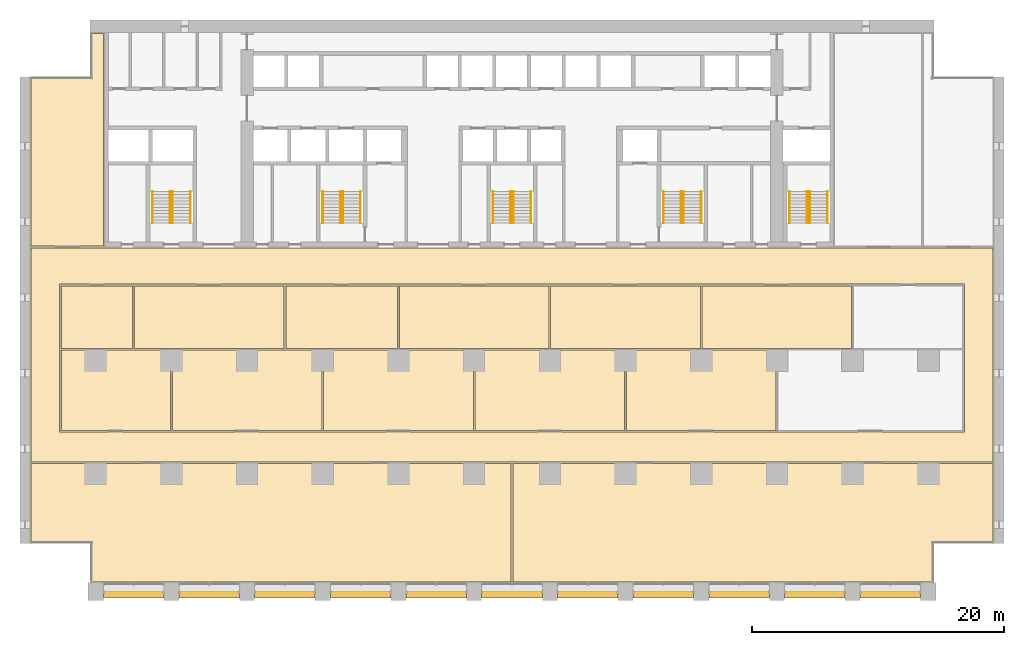
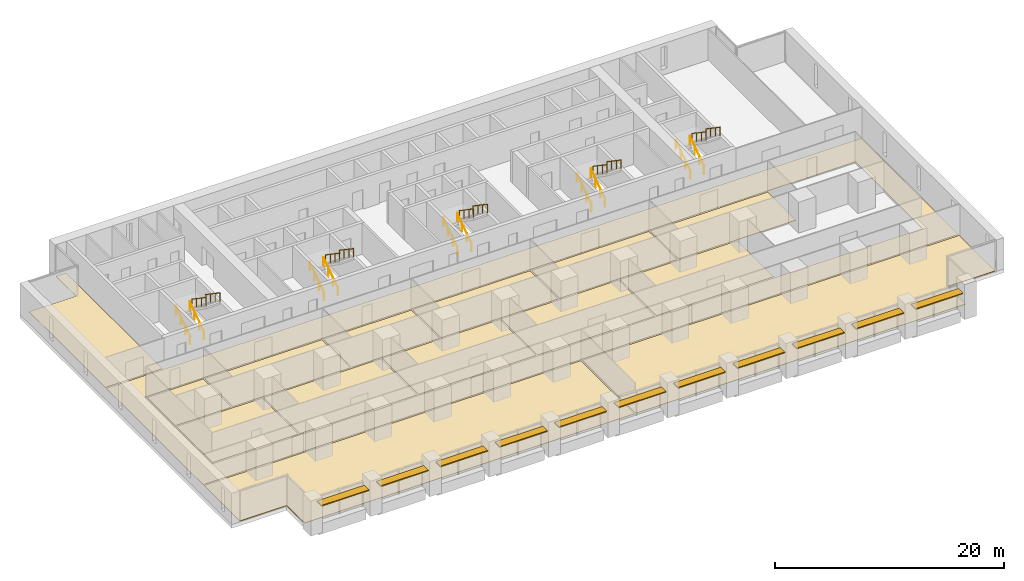
# One storey, part 17 of 18: 20 railings, 15 coverings, 11 shading devices, 5 elements without a shape of their own.
"""IFC4 building model written with IfcOpenShell, lengths in metres."""

from ifc_helpers import new_model, si_unit, direction, frame, origin, origin_2d, place, context, subcontext, project, spatial, polyline, rectangle, circle, outline, extrude, material, layer, layer_set, material_profile, profile_set, type_object, element, aggregate, save


model = new_model("IFC4")

# Units and contexts
model_context = context("Model", 3, precision=1e-05, world=origin(), true_north=direction((0.0, 1.0)))
body_context = subcontext(model_context, "Body", "Model", "MODEL_VIEW")
ifc_project = project(units=[si_unit("LENGTHUNIT", "METRE"), si_unit("AREAUNIT", "SQUARE_METRE"), si_unit("VOLUMEUNIT", "CUBIC_METRE"), si_unit("PLANEANGLEUNIT", "RADIAN"), si_unit("MASSUNIT", "GRAM", prefix="KILO")], contexts=[model_context])

# Site, building, storey
site_placement = place(None, origin())
site = spatial("IfcSite", under=ifc_project, at=site_placement, CompositionType="ELEMENT")
building_placement = place(site_placement, origin())
building = spatial("IfcBuilding", under=site, at=building_placement, Name="Calvaro Tower", CompositionType="ELEMENT")
storey_placement = place(building_placement, frame((0.0, 0.0, 37.5)))
storey = spatial("IfcBuildingStorey", under=building, at=storey_placement, Name="L08", CompositionType="ELEMENT", Elevation=37.5)

# Shading devices
ifc_material_1 = material(Name="Anodised aluminium", Category="aluminium")
ifc_material_profile = material_profile(ifc_material_1, rectangle(XDim=0.800048828125, YDim=0.10009765625, at=origin_2d()), Name="Brise-soleil blade 800 x 100")
ifc_profile_set = profile_set([ifc_material_profile], Name="Anodised aluminium")
shading_device_type = type_object("IfcShadingDeviceType", Name="Brise-soleil blade 800 x 100", PredefinedType="JALOUSIE", material=ifc_profile_set)
for number, where, z_axis, x_axis, name in (
    (1, (6.60009765625, 0.60009765625, 2.300048828125), (1.0, 0.0, 0.0), (0.0, 1.0, 0.0), "Brise-soleil blade 1"),
    (2, (12.60009765625, 0.60009765625, 2.300048828125), (1.0, 0.0, 0.0), (0.0, 1.0, 0.0), "Brise-soleil blade 2"),
    (3, (18.60009765625, 0.60009765625, 2.300048828125), (1.0, 0.0, 0.0), (0.0, 1.0, 0.0), "Brise-soleil blade 3"),
    (4, (24.60009765625, 0.60009765625, 2.300048828125), (1.0, 0.0, 0.0), (0.0, 1.0, 0.0), "Brise-soleil blade 4"),
    (5, (30.60009765625, 0.60009765625, 2.300048828125), (1.0, 0.0, 0.0), (0.0, 1.0, 0.0), "Brise-soleil blade 5"),
    (6, (36.60009765625, 0.60009765625, 2.300048828125), (1.0, 0.0, 0.0), (0.0, 1.0, 0.0), "Brise-soleil blade 6"),
    (7, (42.60009765625, 0.60009765625, 2.300048828125), (1.0, 0.0, 0.0), (0.0, 1.0, 0.0), "Brise-soleil blade 7"),
    (8, (48.60009765625, 0.60009765625, 2.300048828125), (1.0, 0.0, 0.0), (0.0, 1.0, 0.0), "Brise-soleil blade 8"),
    (9, (54.60009765625, 0.60009765625, 2.300048828125), (1.0, 0.0, 0.0), (0.0, 1.0, 0.0), "Brise-soleil blade 9"),
    (10, (60.60009765625, 0.60009765625, 2.300048828125), (1.0, 0.0, 0.0), (0.0, 1.0, 0.0), "Brise-soleil blade 10"),
    (11, (66.60009765625, 0.60009765625, 2.300048828125), (1.0, 0.0, 0.0), (0.0, 1.0, 0.0), "Brise-soleil blade 11"),
):
    element("IfcShadingDevice", number, at=place(storey_placement, frame(where, z_axis=z_axis, x_axis=x_axis)), inside=storey, type_object=shading_device_type, Name=name, PredefinedType="JALOUSIE", context=body_context, shape_type="SweptSolid", body=[
        extrude(rectangle(XDim=0.800048828125, YDim=0.10009765625, at=origin_2d()), origin(), (0.0, 0.0, 1.0), 4.7998046875),
    ])

# Coverings
ifc_material_2 = material(Name="Cement screed with carpet tile finish")
ifc_layer = layer(ifc_material_2, 0.050048828125)
ifc_layer_set = layer_set([ifc_layer], Name="Cement screed with carpet tile finish")
covering_type = type_object("IfcCoveringType", Name="Floor finish 50", PredefinedType="FLOORING", material=ifc_layer_set)
covering_1_placement = place(storey_placement, origin())
element("IfcCovering", 12, at=covering_1_placement, inside=storey, type_object=covering_type, Name="Floor finish 09.01", PredefinedType="FLOORING", context=body_context, shape_type="SweptSolid", body=[
    extrude(outline(polyline([(0.8701171875, 10.969970703125), (0.8701171875, 27.929931640625), (77.1298828125, 27.929931640625), (77.1298828125, 10.969970703125), (0.8701171875, 10.969970703125)]), holes=[polyline([(74.8701171875, 13.330078125), (74.8701171875, 25.070068359375), (3.1298828125, 25.070068359375), (3.1298828125, 13.330078125), (74.8701171875, 13.330078125)])]), origin(), (0.0, 0.0, 1.0), 0.050048828125),
])
covering_2_placement = place(storey_placement, origin())
element("IfcCovering", 13, at=covering_2_placement, inside=storey, type_object=covering_type, Name="Floor finish 09.02", PredefinedType="FLOORING", context=body_context, shape_type="SweptSolid", body=[
    extrude(outline(polyline([(38.929931640625, 10.830078125), (38.929931640625, 1.469970703125), (5.6201171875, 1.469970703125), (5.6201171875, 4.570068359375), (0.8701171875, 4.570068359375), (0.8701171875, 10.830078125), (38.929931640625, 10.830078125)])), origin(), (0.0, 0.0, 1.0), 0.050048828125),
])
covering_3_placement = place(storey_placement, origin())
element("IfcCovering", 14, at=covering_3_placement, inside=storey, type_object=covering_type, Name="Floor finish 09.03", PredefinedType="FLOORING", context=body_context, shape_type="SweptSolid", body=[
    extrude(outline(polyline([(77.1298828125, 4.570068359375), (72.3798828125, 4.570068359375), (72.3798828125, 1.469970703125), (39.070068359375, 1.469970703125), (39.070068359375, 10.830078125), (77.1298828125, 10.830078125), (77.1298828125, 4.570068359375)])), origin(), (0.0, 0.0, 1.0), 0.050048828125),
])
covering_4_placement = place(storey_placement, origin())
element("IfcCovering", 15, at=covering_4_placement, inside=storey, type_object=covering_type, Name="Floor finish 09.04", PredefinedType="FLOORING", context=body_context, shape_type="SweptSolid", body=[
    extrude(outline(polyline([(3.27001953125, 13.469970703125), (3.27001953125, 19.830078125), (11.929931640625, 19.830078125), (11.929931640625, 13.469970703125), (3.27001953125, 13.469970703125)])), origin(), (0.0, 0.0, 1.0), 0.050048828125),
])
covering_5_placement = place(storey_placement, origin())
element("IfcCovering", 16, at=covering_5_placement, inside=storey, type_object=covering_type, Name="Floor finish 09.06", PredefinedType="FLOORING", context=body_context, shape_type="SweptSolid", body=[
    extrude(outline(polyline([(12.070068359375, 13.469970703125), (12.070068359375, 19.830078125), (23.929931640625, 19.830078125), (23.929931640625, 13.469970703125), (12.070068359375, 13.469970703125)])), origin(), (0.0, 0.0, 1.0), 0.050048828125),
])
covering_6_placement = place(storey_placement, origin())
element("IfcCovering", 17, at=covering_6_placement, inside=storey, type_object=covering_type, Name="Floor finish 09.07", PredefinedType="FLOORING", context=body_context, shape_type="SweptSolid", body=[
    extrude(outline(polyline([(24.070068359375, 13.469970703125), (24.070068359375, 19.830078125), (35.929931640625, 19.830078125), (35.929931640625, 13.469970703125), (24.070068359375, 13.469970703125)])), origin(), (0.0, 0.0, 1.0), 0.050048828125),
])
covering_7_placement = place(storey_placement, origin())
element("IfcCovering", 18, at=covering_7_placement, inside=storey, type_object=covering_type, Name="Floor finish 09.08", PredefinedType="FLOORING", context=body_context, shape_type="SweptSolid", body=[
    extrude(outline(polyline([(36.070068359375, 13.469970703125), (36.070068359375, 19.830078125), (47.929931640625, 19.830078125), (47.929931640625, 13.469970703125), (36.070068359375, 13.469970703125)])), origin(), (0.0, 0.0, 1.0), 0.050048828125),
])
covering_8_placement = place(storey_placement, origin())
element("IfcCovering", 19, at=covering_8_placement, inside=storey, type_object=covering_type, Name="Floor finish 09.09", PredefinedType="FLOORING", context=body_context, shape_type="SweptSolid", body=[
    extrude(outline(polyline([(48.070068359375, 13.469970703125), (48.070068359375, 19.830078125), (59.929931640625, 19.830078125), (59.929931640625, 13.469970703125), (48.070068359375, 13.469970703125)])), origin(), (0.0, 0.0, 1.0), 0.050048828125),
])
covering_9_placement = place(storey_placement, origin())
element("IfcCovering", 20, at=covering_9_placement, inside=storey, type_object=covering_type, Name="Floor finish 09.12", PredefinedType="FLOORING", context=body_context, shape_type="SweptSolid", body=[
    extrude(outline(polyline([(3.27001953125, 19.969970703125), (3.27001953125, 24.929931640625), (8.929931640625, 24.929931640625), (8.929931640625, 19.969970703125), (3.27001953125, 19.969970703125)])), origin(), (0.0, 0.0, 1.0), 0.050048828125),
])
covering_10_placement = place(storey_placement, origin())
element("IfcCovering", 21, at=covering_10_placement, inside=storey, type_object=covering_type, Name="Floor finish 09.13", PredefinedType="FLOORING", context=body_context, shape_type="SweptSolid", body=[
    extrude(outline(polyline([(9.070068359375, 19.969970703125), (9.070068359375, 24.929931640625), (20.929931640625, 24.929931640625), (20.929931640625, 19.969970703125), (9.070068359375, 19.969970703125)])), origin(), (0.0, 0.0, 1.0), 0.050048828125),
])
covering_11_placement = place(storey_placement, origin())
element("IfcCovering", 22, at=covering_11_placement, inside=storey, type_object=covering_type, Name="Floor finish 09.10", PredefinedType="FLOORING", context=body_context, shape_type="SweptSolid", body=[
    extrude(outline(polyline([(21.070068359375, 19.969970703125), (21.070068359375, 24.929931640625), (29.929931640625, 24.929931640625), (29.929931640625, 19.969970703125), (21.070068359375, 19.969970703125)])), origin(), (0.0, 0.0, 1.0), 0.050048828125),
])
covering_12_placement = place(storey_placement, origin())
element("IfcCovering", 23, at=covering_12_placement, inside=storey, type_object=covering_type, Name="Floor finish 09.14", PredefinedType="FLOORING", context=body_context, shape_type="SweptSolid", body=[
    extrude(outline(polyline([(30.070068359375, 19.969970703125), (30.070068359375, 24.929931640625), (41.929931640625, 24.929931640625), (41.929931640625, 19.969970703125), (30.070068359375, 19.969970703125)])), origin(), (0.0, 0.0, 1.0), 0.050048828125),
])
covering_13_placement = place(storey_placement, origin())
element("IfcCovering", 24, at=covering_13_placement, inside=storey, type_object=covering_type, Name="Floor finish 09.15", PredefinedType="FLOORING", context=body_context, shape_type="SweptSolid", body=[
    extrude(outline(polyline([(42.070068359375, 19.969970703125), (42.070068359375, 24.929931640625), (53.929931640625, 24.929931640625), (53.929931640625, 19.969970703125), (42.070068359375, 19.969970703125)])), origin(), (0.0, 0.0, 1.0), 0.050048828125),
])
covering_14_placement = place(storey_placement, origin())
element("IfcCovering", 25, at=covering_14_placement, inside=storey, type_object=covering_type, Name="Floor finish 09.16", PredefinedType="FLOORING", context=body_context, shape_type="SweptSolid", body=[
    extrude(outline(polyline([(54.070068359375, 19.969970703125), (54.070068359375, 24.929931640625), (65.929931640625, 24.929931640625), (65.929931640625, 19.969970703125), (54.070068359375, 19.969970703125)])), origin(), (0.0, 0.0, 1.0), 0.050048828125),
])
covering_15_placement = place(storey_placement, origin())
element("IfcCovering", 26, at=covering_15_placement, inside=storey, type_object=covering_type, Name="Floor finish 09.18", PredefinedType="FLOORING", context=body_context, shape_type="SweptSolid", body=[
    extrude(outline(polyline([(6.6298828125, 28.070068359375), (0.8701171875, 28.070068359375), (0.8701171875, 41.429931640625), (5.6201171875, 41.429931640625), (5.6201171875, 44.929931640625), (6.6298828125, 44.929931640625), (6.6298828125, 28.070068359375)])), origin(), (0.0, 0.0, 1.0), 0.050048828125),
])

# Stair, railings
ifc_material_3 = material(Name="Concrete C40/50", Category="concrete")
stair_type = type_object("IfcStairType", Name="Exit stair 1400 2 flights", PredefinedType="HALF_TURN_STAIR", material=ifc_material_3)
stair_1_placement = place(storey_placement, origin())
stair_1 = element("IfcStair", 27, at=stair_1_placement, inside=storey, type_object=stair_type, Name="Exit stair S1", PredefinedType="HALF_TURN_STAIR")
ifc_material_4 = material(Name="Stainless steel", Category="steel")
railing_type = type_object("IfcRailingType", Name="Stair handrail", PredefinedType="HANDRAIL", material=ifc_material_4)
railing_1_placement = place(storey_placement, frame((11.89990234375, 29.89990234375, 0.17041015625)))
railing_1 = element("IfcRailing", 28, at=railing_1_placement, type_object=railing_type, Name="Exit stair 1 handrail", PredefinedType="HANDRAIL", context=body_context, shape_type="SweptSolid", body=[
    extrude(circle(Radius=0.02392578125, at=origin_2d()), frame((0.0, 0.0, 0.8759765625), z_axis=(0.0, 0.826220514629, 0.563346839174), x_axis=(-1.0, 0.0, 0.0)), (0.0, 0.0, 1.0), 3.02587890625),
    extrude(circle(Radius=0.02099609375, at=origin_2d()), frame((0.0, 0.017333984375, 0.01171875)), (0.0, 0.0, 1.0), 0.851806640625),
    extrude(circle(Radius=0.02099609375, at=origin_2d()), frame((0.0, 0.833251953125, 0.568115234375)), (0.0, 0.0, 1.0), 0.851806640625),
    extrude(circle(Radius=0.02099609375, at=origin_2d()), frame((0.0, 1.666748046875, 1.136474609375)), (0.0, 0.0, 1.0), 0.851806640625),
    extrude(circle(Radius=0.02099609375, at=origin_2d()), frame((0.0, 2.482666015625, 1.69287109375)), (0.0, 0.0, 1.0), 0.851806640625),
])
railing_2_placement = place(storey_placement, frame((10.5, 29.89990234375, 0.17041015625)))
railing_2 = element("IfcRailing", 29, at=railing_2_placement, type_object=railing_type, Name="Exit stair 1 handrail", PredefinedType="HANDRAIL", context=body_context, shape_type="SweptSolid", body=[
    extrude(circle(Radius=0.02392578125, at=origin_2d()), frame((0.0, 0.0, 0.8759765625), z_axis=(0.0, 0.826220514629, 0.563346839174), x_axis=(-1.0, 0.0, 0.0)), (0.0, 0.0, 1.0), 3.02587890625),
    extrude(circle(Radius=0.02099609375, at=origin_2d()), frame((0.0, 0.017333984375, 0.01171875)), (0.0, 0.0, 1.0), 0.851806640625),
    extrude(circle(Radius=0.02099609375, at=origin_2d()), frame((0.0, 0.833251953125, 0.568115234375)), (0.0, 0.0, 1.0), 0.851806640625),
    extrude(circle(Radius=0.02099609375, at=origin_2d()), frame((0.0, 1.666748046875, 1.136474609375)), (0.0, 0.0, 1.0), 0.851806640625),
    extrude(circle(Radius=0.02099609375, at=origin_2d()), frame((0.0, 2.482666015625, 1.69287109375)), (0.0, 0.0, 1.0), 0.851806640625),
])
railing_3_placement = place(storey_placement, frame((12.10009765625, 32.39990234375, 2.04541015625)))
railing_3 = element("IfcRailing", 30, at=railing_3_placement, type_object=railing_type, Name="Exit stair 1 handrail", PredefinedType="HANDRAIL", context=body_context, shape_type="SweptSolid", body=[
    extrude(circle(Radius=0.02392578125, at=origin_2d()), frame((0.0, 0.0, 0.8759765625), z_axis=(0.0, -0.826220514629, 0.563346839174), x_axis=(1.0, 0.0, 0.0)), (0.0, 0.0, 1.0), 3.02587890625),
    extrude(circle(Radius=0.02099609375, at=origin_2d()), frame((0.0, -0.017333984375, 0.01171875)), (0.0, 0.0, 1.0), 0.851806640625),
    extrude(circle(Radius=0.02099609375, at=origin_2d()), frame((0.0, -0.833251953125, 0.568115234375)), (0.0, 0.0, 1.0), 0.851806640625),
    extrude(circle(Radius=0.02099609375, at=origin_2d()), frame((0.0, -1.666748046875, 1.136474609375)), (0.0, 0.0, 1.0), 0.851806640625),
    extrude(circle(Radius=0.02099609375, at=origin_2d()), frame((0.0, -2.482666015625, 1.69287109375)), (0.0, 0.0, 1.0), 0.851806640625),
])
railing_4_placement = place(storey_placement, frame((13.5, 32.39990234375, 2.04541015625)))
railing_4 = element("IfcRailing", 31, at=railing_4_placement, type_object=railing_type, Name="Exit stair 1 handrail", PredefinedType="HANDRAIL", context=body_context, shape_type="SweptSolid", body=[
    extrude(circle(Radius=0.02392578125, at=origin_2d()), frame((0.0, 0.0, 0.8759765625), z_axis=(0.0, -0.826220514629, 0.563346839174), x_axis=(1.0, 0.0, 0.0)), (0.0, 0.0, 1.0), 3.02587890625),
    extrude(circle(Radius=0.02099609375, at=origin_2d()), frame((0.0, -0.017333984375, 0.01171875)), (0.0, 0.0, 1.0), 0.851806640625),
    extrude(circle(Radius=0.02099609375, at=origin_2d()), frame((0.0, -0.833251953125, 0.568115234375)), (0.0, 0.0, 1.0), 0.851806640625),
    extrude(circle(Radius=0.02099609375, at=origin_2d()), frame((0.0, -1.666748046875, 1.136474609375)), (0.0, 0.0, 1.0), 0.851806640625),
    extrude(circle(Radius=0.02099609375, at=origin_2d()), frame((0.0, -2.482666015625, 1.69287109375)), (0.0, 0.0, 1.0), 0.851806640625),
])
aggregate(stair_1, [railing_1, railing_2, railing_3, railing_4])

stair_2_placement = place(storey_placement, origin())
stair_2 = element("IfcStair", 32, at=stair_2_placement, inside=storey, type_object=stair_type, Name="Exit stair S2", PredefinedType="HALF_TURN_STAIR")
railing_5_placement = place(storey_placement, frame((25.39990234375, 29.89990234375, 0.17041015625)))
railing_5 = element("IfcRailing", 33, at=railing_5_placement, type_object=railing_type, Name="Exit stair 2 handrail", PredefinedType="HANDRAIL", context=body_context, shape_type="SweptSolid", body=[
    extrude(circle(Radius=0.02392578125, at=origin_2d()), frame((0.0, 0.0, 0.8759765625), z_axis=(0.0, 0.826220514629, 0.563346839174), x_axis=(-1.0, 0.0, 0.0)), (0.0, 0.0, 1.0), 3.02587890625),
    extrude(circle(Radius=0.02099609375, at=origin_2d()), frame((0.0, 0.017333984375, 0.01171875)), (0.0, 0.0, 1.0), 0.851806640625),
    extrude(circle(Radius=0.02099609375, at=origin_2d()), frame((0.0, 0.833251953125, 0.568115234375)), (0.0, 0.0, 1.0), 0.851806640625),
    extrude(circle(Radius=0.02099609375, at=origin_2d()), frame((0.0, 1.666748046875, 1.136474609375)), (0.0, 0.0, 1.0), 0.851806640625),
    extrude(circle(Radius=0.02099609375, at=origin_2d()), frame((0.0, 2.482666015625, 1.69287109375)), (0.0, 0.0, 1.0), 0.851806640625),
])
railing_6_placement = place(storey_placement, frame((24.0, 29.89990234375, 0.17041015625)))
railing_6 = element("IfcRailing", 34, at=railing_6_placement, type_object=railing_type, Name="Exit stair 2 handrail", PredefinedType="HANDRAIL", context=body_context, shape_type="SweptSolid", body=[
    extrude(circle(Radius=0.02392578125, at=origin_2d()), frame((0.0, 0.0, 0.8759765625), z_axis=(0.0, 0.826220514629, 0.563346839174), x_axis=(-1.0, 0.0, 0.0)), (0.0, 0.0, 1.0), 3.02587890625),
    extrude(circle(Radius=0.02099609375, at=origin_2d()), frame((0.0, 0.017333984375, 0.01171875)), (0.0, 0.0, 1.0), 0.851806640625),
    extrude(circle(Radius=0.02099609375, at=origin_2d()), frame((0.0, 0.833251953125, 0.568115234375)), (0.0, 0.0, 1.0), 0.851806640625),
    extrude(circle(Radius=0.02099609375, at=origin_2d()), frame((0.0, 1.666748046875, 1.136474609375)), (0.0, 0.0, 1.0), 0.851806640625),
    extrude(circle(Radius=0.02099609375, at=origin_2d()), frame((0.0, 2.482666015625, 1.69287109375)), (0.0, 0.0, 1.0), 0.851806640625),
])
railing_7_placement = place(storey_placement, frame((25.60009765625, 32.39990234375, 2.04541015625)))
railing_7 = element("IfcRailing", 35, at=railing_7_placement, type_object=railing_type, Name="Exit stair 2 handrail", PredefinedType="HANDRAIL", context=body_context, shape_type="SweptSolid", body=[
    extrude(circle(Radius=0.02392578125, at=origin_2d()), frame((0.0, 0.0, 0.8759765625), z_axis=(0.0, -0.826220514629, 0.563346839174), x_axis=(1.0, 0.0, 0.0)), (0.0, 0.0, 1.0), 3.02587890625),
    extrude(circle(Radius=0.02099609375, at=origin_2d()), frame((0.0, -0.017333984375, 0.01171875)), (0.0, 0.0, 1.0), 0.851806640625),
    extrude(circle(Radius=0.02099609375, at=origin_2d()), frame((0.0, -0.833251953125, 0.568115234375)), (0.0, 0.0, 1.0), 0.851806640625),
    extrude(circle(Radius=0.02099609375, at=origin_2d()), frame((0.0, -1.666748046875, 1.136474609375)), (0.0, 0.0, 1.0), 0.851806640625),
    extrude(circle(Radius=0.02099609375, at=origin_2d()), frame((0.0, -2.482666015625, 1.69287109375)), (0.0, 0.0, 1.0), 0.851806640625),
])
railing_8_placement = place(storey_placement, frame((27.0, 32.39990234375, 2.04541015625)))
railing_8 = element("IfcRailing", 36, at=railing_8_placement, type_object=railing_type, Name="Exit stair 2 handrail", PredefinedType="HANDRAIL", context=body_context, shape_type="SweptSolid", body=[
    extrude(circle(Radius=0.02392578125, at=origin_2d()), frame((0.0, 0.0, 0.8759765625), z_axis=(0.0, -0.826220514629, 0.563346839174), x_axis=(1.0, 0.0, 0.0)), (0.0, 0.0, 1.0), 3.02587890625),
    extrude(circle(Radius=0.02099609375, at=origin_2d()), frame((0.0, -0.017333984375, 0.01171875)), (0.0, 0.0, 1.0), 0.851806640625),
    extrude(circle(Radius=0.02099609375, at=origin_2d()), frame((0.0, -0.833251953125, 0.568115234375)), (0.0, 0.0, 1.0), 0.851806640625),
    extrude(circle(Radius=0.02099609375, at=origin_2d()), frame((0.0, -1.666748046875, 1.136474609375)), (0.0, 0.0, 1.0), 0.851806640625),
    extrude(circle(Radius=0.02099609375, at=origin_2d()), frame((0.0, -2.482666015625, 1.69287109375)), (0.0, 0.0, 1.0), 0.851806640625),
])
aggregate(stair_2, [railing_5, railing_6, railing_7, railing_8])

stair_3_placement = place(storey_placement, origin())
stair_3 = element("IfcStair", 37, at=stair_3_placement, inside=storey, type_object=stair_type, Name="Exit stair S3", PredefinedType="HALF_TURN_STAIR")
railing_9_placement = place(storey_placement, frame((38.89990234375, 29.89990234375, 0.17041015625)))
railing_9 = element("IfcRailing", 38, at=railing_9_placement, type_object=railing_type, Name="Exit stair 3 handrail", PredefinedType="HANDRAIL", context=body_context, shape_type="SweptSolid", body=[
    extrude(circle(Radius=0.02392578125, at=origin_2d()), frame((0.0, 0.0, 0.8759765625), z_axis=(0.0, 0.826220514629, 0.563346839174), x_axis=(-1.0, 0.0, 0.0)), (0.0, 0.0, 1.0), 3.02587890625),
    extrude(circle(Radius=0.02099609375, at=origin_2d()), frame((0.0, 0.017333984375, 0.01171875)), (0.0, 0.0, 1.0), 0.851806640625),
    extrude(circle(Radius=0.02099609375, at=origin_2d()), frame((0.0, 0.833251953125, 0.568115234375)), (0.0, 0.0, 1.0), 0.851806640625),
    extrude(circle(Radius=0.02099609375, at=origin_2d()), frame((0.0, 1.666748046875, 1.136474609375)), (0.0, 0.0, 1.0), 0.851806640625),
    extrude(circle(Radius=0.02099609375, at=origin_2d()), frame((0.0, 2.482666015625, 1.69287109375)), (0.0, 0.0, 1.0), 0.851806640625),
])
railing_10_placement = place(storey_placement, frame((37.5, 29.89990234375, 0.17041015625)))
railing_10 = element("IfcRailing", 39, at=railing_10_placement, type_object=railing_type, Name="Exit stair 3 handrail", PredefinedType="HANDRAIL", context=body_context, shape_type="SweptSolid", body=[
    extrude(circle(Radius=0.02392578125, at=origin_2d()), frame((0.0, 0.0, 0.8759765625), z_axis=(0.0, 0.826220514629, 0.563346839174), x_axis=(-1.0, 0.0, 0.0)), (0.0, 0.0, 1.0), 3.02587890625),
    extrude(circle(Radius=0.02099609375, at=origin_2d()), frame((0.0, 0.017333984375, 0.01171875)), (0.0, 0.0, 1.0), 0.851806640625),
    extrude(circle(Radius=0.02099609375, at=origin_2d()), frame((0.0, 0.833251953125, 0.568115234375)), (0.0, 0.0, 1.0), 0.851806640625),
    extrude(circle(Radius=0.02099609375, at=origin_2d()), frame((0.0, 1.666748046875, 1.136474609375)), (0.0, 0.0, 1.0), 0.851806640625),
    extrude(circle(Radius=0.02099609375, at=origin_2d()), frame((0.0, 2.482666015625, 1.69287109375)), (0.0, 0.0, 1.0), 0.851806640625),
])
railing_11_placement = place(storey_placement, frame((39.10009765625, 32.39990234375, 2.04541015625)))
railing_11 = element("IfcRailing", 40, at=railing_11_placement, type_object=railing_type, Name="Exit stair 3 handrail", PredefinedType="HANDRAIL", context=body_context, shape_type="SweptSolid", body=[
    extrude(circle(Radius=0.02392578125, at=origin_2d()), frame((0.0, 0.0, 0.8759765625), z_axis=(0.0, -0.826220514629, 0.563346839174), x_axis=(1.0, 0.0, 0.0)), (0.0, 0.0, 1.0), 3.02587890625),
    extrude(circle(Radius=0.02099609375, at=origin_2d()), frame((0.0, -0.017333984375, 0.01171875)), (0.0, 0.0, 1.0), 0.851806640625),
    extrude(circle(Radius=0.02099609375, at=origin_2d()), frame((0.0, -0.833251953125, 0.568115234375)), (0.0, 0.0, 1.0), 0.851806640625),
    extrude(circle(Radius=0.02099609375, at=origin_2d()), frame((0.0, -1.666748046875, 1.136474609375)), (0.0, 0.0, 1.0), 0.851806640625),
    extrude(circle(Radius=0.02099609375, at=origin_2d()), frame((0.0, -2.482666015625, 1.69287109375)), (0.0, 0.0, 1.0), 0.851806640625),
])
railing_12_placement = place(storey_placement, frame((40.5, 32.39990234375, 2.04541015625)))
railing_12 = element("IfcRailing", 41, at=railing_12_placement, type_object=railing_type, Name="Exit stair 3 handrail", PredefinedType="HANDRAIL", context=body_context, shape_type="SweptSolid", body=[
    extrude(circle(Radius=0.02392578125, at=origin_2d()), frame((0.0, 0.0, 0.8759765625), z_axis=(0.0, -0.826220514629, 0.563346839174), x_axis=(1.0, 0.0, 0.0)), (0.0, 0.0, 1.0), 3.02587890625),
    extrude(circle(Radius=0.02099609375, at=origin_2d()), frame((0.0, -0.017333984375, 0.01171875)), (0.0, 0.0, 1.0), 0.851806640625),
    extrude(circle(Radius=0.02099609375, at=origin_2d()), frame((0.0, -0.833251953125, 0.568115234375)), (0.0, 0.0, 1.0), 0.851806640625),
    extrude(circle(Radius=0.02099609375, at=origin_2d()), frame((0.0, -1.666748046875, 1.136474609375)), (0.0, 0.0, 1.0), 0.851806640625),
    extrude(circle(Radius=0.02099609375, at=origin_2d()), frame((0.0, -2.482666015625, 1.69287109375)), (0.0, 0.0, 1.0), 0.851806640625),
])
aggregate(stair_3, [railing_9, railing_10, railing_11, railing_12])

stair_4_placement = place(storey_placement, origin())
stair_4 = element("IfcStair", 42, at=stair_4_placement, inside=storey, type_object=stair_type, Name="Exit stair S4", PredefinedType="HALF_TURN_STAIR")
railing_13_placement = place(storey_placement, frame((52.39990234375, 29.89990234375, 0.17041015625)))
railing_13 = element("IfcRailing", 43, at=railing_13_placement, type_object=railing_type, Name="Exit stair 4 handrail", PredefinedType="HANDRAIL", context=body_context, shape_type="SweptSolid", body=[
    extrude(circle(Radius=0.02392578125, at=origin_2d()), frame((0.0, 0.0, 0.8759765625), z_axis=(0.0, 0.826220514629, 0.563346839174), x_axis=(-1.0, 0.0, 0.0)), (0.0, 0.0, 1.0), 3.02587890625),
    extrude(circle(Radius=0.02099609375, at=origin_2d()), frame((0.0, 0.017333984375, 0.01171875)), (0.0, 0.0, 1.0), 0.851806640625),
    extrude(circle(Radius=0.02099609375, at=origin_2d()), frame((0.0, 0.833251953125, 0.568115234375)), (0.0, 0.0, 1.0), 0.851806640625),
    extrude(circle(Radius=0.02099609375, at=origin_2d()), frame((0.0, 1.666748046875, 1.136474609375)), (0.0, 0.0, 1.0), 0.851806640625),
    extrude(circle(Radius=0.02099609375, at=origin_2d()), frame((0.0, 2.482666015625, 1.69287109375)), (0.0, 0.0, 1.0), 0.851806640625),
])
railing_14_placement = place(storey_placement, frame((51.0, 29.89990234375, 0.17041015625)))
railing_14 = element("IfcRailing", 44, at=railing_14_placement, type_object=railing_type, Name="Exit stair 4 handrail", PredefinedType="HANDRAIL", context=body_context, shape_type="SweptSolid", body=[
    extrude(circle(Radius=0.02392578125, at=origin_2d()), frame((0.0, 0.0, 0.8759765625), z_axis=(0.0, 0.826220514629, 0.563346839174), x_axis=(-1.0, 0.0, 0.0)), (0.0, 0.0, 1.0), 3.02587890625),
    extrude(circle(Radius=0.02099609375, at=origin_2d()), frame((0.0, 0.017333984375, 0.01171875)), (0.0, 0.0, 1.0), 0.851806640625),
    extrude(circle(Radius=0.02099609375, at=origin_2d()), frame((0.0, 0.833251953125, 0.568115234375)), (0.0, 0.0, 1.0), 0.851806640625),
    extrude(circle(Radius=0.02099609375, at=origin_2d()), frame((0.0, 1.666748046875, 1.136474609375)), (0.0, 0.0, 1.0), 0.851806640625),
    extrude(circle(Radius=0.02099609375, at=origin_2d()), frame((0.0, 2.482666015625, 1.69287109375)), (0.0, 0.0, 1.0), 0.851806640625),
])
railing_15_placement = place(storey_placement, frame((52.60009765625, 32.39990234375, 2.04541015625)))
railing_15 = element("IfcRailing", 45, at=railing_15_placement, type_object=railing_type, Name="Exit stair 4 handrail", PredefinedType="HANDRAIL", context=body_context, shape_type="SweptSolid", body=[
    extrude(circle(Radius=0.02392578125, at=origin_2d()), frame((0.0, 0.0, 0.8759765625), z_axis=(0.0, -0.826220514629, 0.563346839174), x_axis=(1.0, 0.0, 0.0)), (0.0, 0.0, 1.0), 3.02587890625),
    extrude(circle(Radius=0.02099609375, at=origin_2d()), frame((0.0, -0.017333984375, 0.01171875)), (0.0, 0.0, 1.0), 0.851806640625),
    extrude(circle(Radius=0.02099609375, at=origin_2d()), frame((0.0, -0.833251953125, 0.568115234375)), (0.0, 0.0, 1.0), 0.851806640625),
    extrude(circle(Radius=0.02099609375, at=origin_2d()), frame((0.0, -1.666748046875, 1.136474609375)), (0.0, 0.0, 1.0), 0.851806640625),
    extrude(circle(Radius=0.02099609375, at=origin_2d()), frame((0.0, -2.482666015625, 1.69287109375)), (0.0, 0.0, 1.0), 0.851806640625),
])
railing_16_placement = place(storey_placement, frame((54.0, 32.39990234375, 2.04541015625)))
railing_16 = element("IfcRailing", 46, at=railing_16_placement, type_object=railing_type, Name="Exit stair 4 handrail", PredefinedType="HANDRAIL", context=body_context, shape_type="SweptSolid", body=[
    extrude(circle(Radius=0.02392578125, at=origin_2d()), frame((0.0, 0.0, 0.8759765625), z_axis=(0.0, -0.826220514629, 0.563346839174), x_axis=(1.0, 0.0, 0.0)), (0.0, 0.0, 1.0), 3.02587890625),
    extrude(circle(Radius=0.02099609375, at=origin_2d()), frame((0.0, -0.017333984375, 0.01171875)), (0.0, 0.0, 1.0), 0.851806640625),
    extrude(circle(Radius=0.02099609375, at=origin_2d()), frame((0.0, -0.833251953125, 0.568115234375)), (0.0, 0.0, 1.0), 0.851806640625),
    extrude(circle(Radius=0.02099609375, at=origin_2d()), frame((0.0, -1.666748046875, 1.136474609375)), (0.0, 0.0, 1.0), 0.851806640625),
    extrude(circle(Radius=0.02099609375, at=origin_2d()), frame((0.0, -2.482666015625, 1.69287109375)), (0.0, 0.0, 1.0), 0.851806640625),
])
aggregate(stair_4, [railing_13, railing_14, railing_15, railing_16])

stair_5_placement = place(storey_placement, origin())
stair_5 = element("IfcStair", 47, at=stair_5_placement, inside=storey, type_object=stair_type, Name="Exit stair S5", PredefinedType="HALF_TURN_STAIR")
railing_17_placement = place(storey_placement, frame((62.39990234375, 29.89990234375, 0.17041015625)))
railing_17 = element("IfcRailing", 48, at=railing_17_placement, type_object=railing_type, Name="Exit stair 5 handrail", PredefinedType="HANDRAIL", context=body_context, shape_type="SweptSolid", body=[
    extrude(circle(Radius=0.02392578125, at=origin_2d()), frame((0.0, 0.0, 0.8759765625), z_axis=(0.0, 0.826220514629, 0.563346839174), x_axis=(-1.0, 0.0, 0.0)), (0.0, 0.0, 1.0), 3.02587890625),
    extrude(circle(Radius=0.02099609375, at=origin_2d()), frame((0.0, 0.017333984375, 0.01171875)), (0.0, 0.0, 1.0), 0.851806640625),
    extrude(circle(Radius=0.02099609375, at=origin_2d()), frame((0.0, 0.833251953125, 0.568115234375)), (0.0, 0.0, 1.0), 0.851806640625),
    extrude(circle(Radius=0.02099609375, at=origin_2d()), frame((0.0, 1.666748046875, 1.136474609375)), (0.0, 0.0, 1.0), 0.851806640625),
    extrude(circle(Radius=0.02099609375, at=origin_2d()), frame((0.0, 2.482666015625, 1.69287109375)), (0.0, 0.0, 1.0), 0.851806640625),
])
railing_18_placement = place(storey_placement, frame((61.0, 29.89990234375, 0.17041015625)))
railing_18 = element("IfcRailing", 49, at=railing_18_placement, type_object=railing_type, Name="Exit stair 5 handrail", PredefinedType="HANDRAIL", context=body_context, shape_type="SweptSolid", body=[
    extrude(circle(Radius=0.02392578125, at=origin_2d()), frame((0.0, 0.0, 0.8759765625), z_axis=(0.0, 0.826220514629, 0.563346839174), x_axis=(-1.0, 0.0, 0.0)), (0.0, 0.0, 1.0), 3.02587890625),
    extrude(circle(Radius=0.02099609375, at=origin_2d()), frame((0.0, 0.017333984375, 0.01171875)), (0.0, 0.0, 1.0), 0.851806640625),
    extrude(circle(Radius=0.02099609375, at=origin_2d()), frame((0.0, 0.833251953125, 0.568115234375)), (0.0, 0.0, 1.0), 0.851806640625),
    extrude(circle(Radius=0.02099609375, at=origin_2d()), frame((0.0, 1.666748046875, 1.136474609375)), (0.0, 0.0, 1.0), 0.851806640625),
    extrude(circle(Radius=0.02099609375, at=origin_2d()), frame((0.0, 2.482666015625, 1.69287109375)), (0.0, 0.0, 1.0), 0.851806640625),
])
railing_19_placement = place(storey_placement, frame((62.60009765625, 32.39990234375, 2.04541015625)))
railing_19 = element("IfcRailing", 50, at=railing_19_placement, type_object=railing_type, Name="Exit stair 5 handrail", PredefinedType="HANDRAIL", context=body_context, shape_type="SweptSolid", body=[
    extrude(circle(Radius=0.02392578125, at=origin_2d()), frame((0.0, 0.0, 0.8759765625), z_axis=(0.0, -0.826220514629, 0.563346839174), x_axis=(1.0, 0.0, 0.0)), (0.0, 0.0, 1.0), 3.02587890625),
    extrude(circle(Radius=0.02099609375, at=origin_2d()), frame((0.0, -0.017333984375, 0.01171875)), (0.0, 0.0, 1.0), 0.851806640625),
    extrude(circle(Radius=0.02099609375, at=origin_2d()), frame((0.0, -0.833251953125, 0.568115234375)), (0.0, 0.0, 1.0), 0.851806640625),
    extrude(circle(Radius=0.02099609375, at=origin_2d()), frame((0.0, -1.666748046875, 1.136474609375)), (0.0, 0.0, 1.0), 0.851806640625),
    extrude(circle(Radius=0.02099609375, at=origin_2d()), frame((0.0, -2.482666015625, 1.69287109375)), (0.0, 0.0, 1.0), 0.851806640625),
])
railing_20_placement = place(storey_placement, frame((64.0, 32.39990234375, 2.04541015625)))
railing_20 = element("IfcRailing", 51, at=railing_20_placement, type_object=railing_type, Name="Exit stair 5 handrail", PredefinedType="HANDRAIL", context=body_context, shape_type="SweptSolid", body=[
    extrude(circle(Radius=0.02392578125, at=origin_2d()), frame((0.0, 0.0, 0.8759765625), z_axis=(0.0, -0.826220514629, 0.563346839174), x_axis=(1.0, 0.0, 0.0)), (0.0, 0.0, 1.0), 3.02587890625),
    extrude(circle(Radius=0.02099609375, at=origin_2d()), frame((0.0, -0.017333984375, 0.01171875)), (0.0, 0.0, 1.0), 0.851806640625),
    extrude(circle(Radius=0.02099609375, at=origin_2d()), frame((0.0, -0.833251953125, 0.568115234375)), (0.0, 0.0, 1.0), 0.851806640625),
    extrude(circle(Radius=0.02099609375, at=origin_2d()), frame((0.0, -1.666748046875, 1.136474609375)), (0.0, 0.0, 1.0), 0.851806640625),
    extrude(circle(Radius=0.02099609375, at=origin_2d()), frame((0.0, -2.482666015625, 1.69287109375)), (0.0, 0.0, 1.0), 0.851806640625),
])
aggregate(stair_5, [railing_17, railing_18, railing_19, railing_20])

save(model, "model.ifc")
